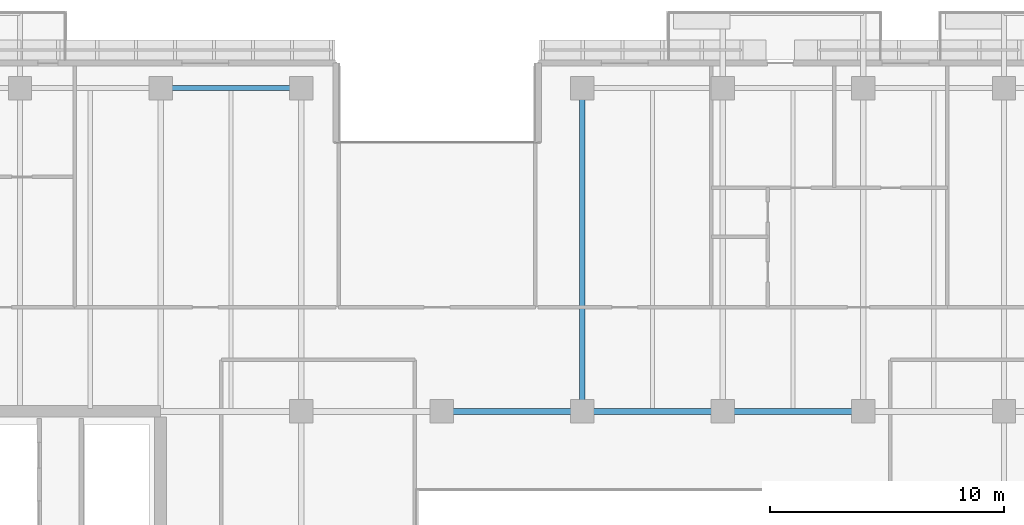
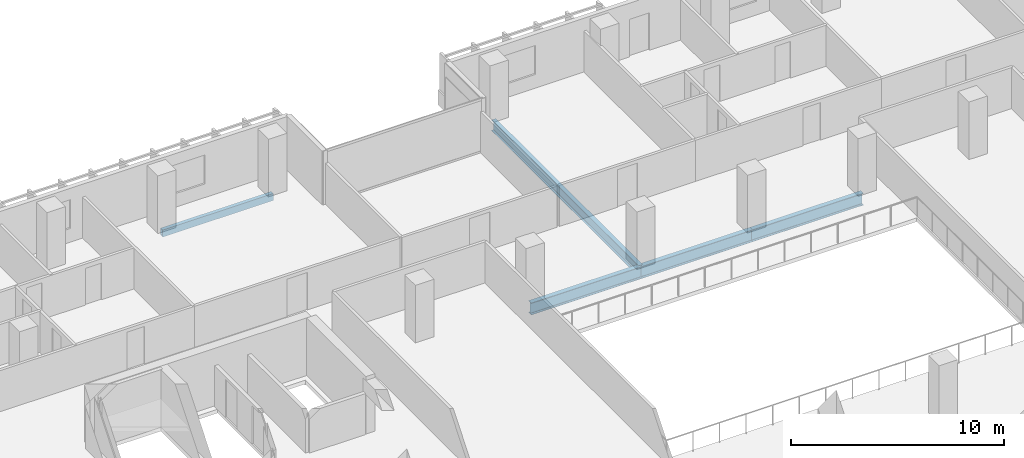
# One storey, part 12 of 35: 5 beams.
"""IFC4 building model written with IfcOpenShell, lengths in metres."""

from ifc_helpers import new_model, si_unit, direction, frame, origin, origin_2d, place, context, subcontext, project, spatial, hollow_rectangle, i_section, extrude, material, material_profile, profile_set, type_object, element, save


model = new_model("IFC4")

# Units and contexts
model_context = context("Model", 3, precision=1e-05, world=origin(), true_north=direction((0.0, 1.0)))
body_context = subcontext(model_context, "Body", "Model", "MODEL_VIEW")
ifc_project = project(units=[si_unit("LENGTHUNIT", "METRE"), si_unit("AREAUNIT", "SQUARE_METRE"), si_unit("VOLUMEUNIT", "CUBIC_METRE"), si_unit("PLANEANGLEUNIT", "RADIAN"), si_unit("MASSUNIT", "GRAM", prefix="KILO")], contexts=[model_context])

# Site, building, storey
site_placement = place(None, origin())
site = spatial("IfcSite", under=ifc_project, at=site_placement, CompositionType="ELEMENT")
building_placement = place(site_placement, origin())
building = spatial("IfcBuilding", under=site, at=building_placement, Name="Tanjung Sevakor Pilgrim Tower", CompositionType="ELEMENT")
storey_placement = place(building_placement, frame((0.0, 0.0, 92.070068359375)))
storey = spatial("IfcBuildingStorey", under=building, at=storey_placement, Name="L25", CompositionType="ELEMENT", Elevation=92.070068359375)

# Beams
ifc_material_1 = material(Name="Steel S355J2", Category="steel")
ifc_material_profile_1 = material_profile(ifc_material_1, i_section(OverallWidth=0.25439453125, OverallDepth=0.6875, WebThickness=0.01318359375, FlangeThickness=0.02099609375, FilletRadius=0.01513671875, at=origin_2d()))
ifc_profile_set_1 = profile_set([ifc_material_profile_1], Name="Steel S355J2")
beam_type_1 = type_object("IfcBeamType", Name="BM-B-G2-UB_686x254x152", PredefinedType="BEAM", material=ifc_profile_set_1)
for number, where, z_axis, x_axis, name in (
    (1, (48.0, 42.60009765625, -0.56396484375), (1.0, 0.0, 0.0), (0.0, 1.0, 0.0), "L25 Primary Floor Girder MAIN Y426-04"),
    (2, (54.0, 42.60009765625, -0.56396484375), (1.0, 0.0, 0.0), (0.0, 1.0, 0.0), "L25 Primary Floor Girder MAIN Y426-05"),
    (3, (60.0, 42.60009765625, -0.56396484375), (1.0, 0.0, 0.0), (0.0, 1.0, 0.0), "L25 Primary Floor Girder MAIN Y426-06"),
):
    element("IfcBeam", number, at=place(storey_placement, frame(where, z_axis=z_axis, x_axis=x_axis)), inside=storey, type_object=beam_type_1, Name=name, PredefinedType="BEAM", context=body_context, shape_type="SweptSolid", body=[
        extrude(i_section(OverallWidth=0.25439453125, OverallDepth=0.6875, WebThickness=0.01318359375, FlangeThickness=0.02099609375, FilletRadius=0.01513671875, at=origin_2d()), origin(), (0.0, 0.0, 1.0), 6.0),
    ])
ifc_material_2 = material(Name="Steel S355J2", Category="steel")
ifc_material_profile_2 = material_profile(ifc_material_2, i_section(OverallWidth=0.230224609375, OverallDepth=0.6171875, WebThickness=0.01318359375, FlangeThickness=0.022216796875, FilletRadius=0.0126953125, at=origin_2d()))
ifc_profile_set_2 = profile_set([ifc_material_profile_2], Name="Steel S355J2")
beam_type_2 = type_object("IfcBeamType", Name="BM-B-G3-UB_610x229x140", PredefinedType="BEAM", material=ifc_profile_set_2)
beam_1_placement = place(storey_placement, frame((54.0, 42.60009765625, -0.528564453125), z_axis=(0.0, 1.0, 0.0), x_axis=(-1.0, 0.0, 0.0)))
element("IfcBeam", 4, at=beam_1_placement, inside=storey, type_object=beam_type_2, Name="L25 MAIN Girder 013", PredefinedType="BEAM", context=body_context, shape_type="SweptSolid", body=[
    extrude(i_section(OverallWidth=0.230224609375, OverallDepth=0.6171875, WebThickness=0.01318359375, FlangeThickness=0.022216796875, FilletRadius=0.0126953125, at=origin_2d()), origin(), (0.0, 0.0, 1.0), 13.7998046875),
])
ifc_material_3 = material(Name="Steel S355J2", Category="steel")
ifc_material_profile_3 = material_profile(ifc_material_3, hollow_rectangle(XDim=0.199951171875, YDim=0.39990234375, WallThickness=0.01611328125, at=origin_2d()))
ifc_profile_set_3 = profile_set([ifc_material_profile_3], Name="Steel S355J2")
beam_type_3 = type_object("IfcBeamType", Name="BM-B-SP2-RHS_400x200x16", PredefinedType="SPANDREL", material=ifc_profile_set_3)
beam_2_placement = place(storey_placement, frame((36.0, 56.39990234375, -0.420166015625), z_axis=(1.0, 0.0, 0.0), x_axis=(0.0, 1.0, 0.0)))
element("IfcBeam", 5, at=beam_2_placement, inside=storey, type_object=beam_type_3, Name="L25 Spandrel MAIN N-06", PredefinedType="SPANDREL", context=body_context, shape_type="SweptSolid", body=[
    extrude(hollow_rectangle(XDim=0.199951171875, YDim=0.39990234375, WallThickness=0.01611328125, at=origin_2d()), origin(), (0.0, 0.0, 1.0), 6.0),
])

save(model, "model.ifc")
